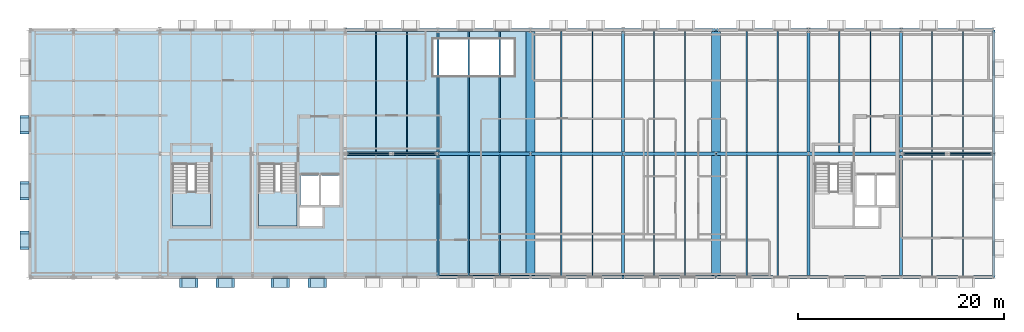
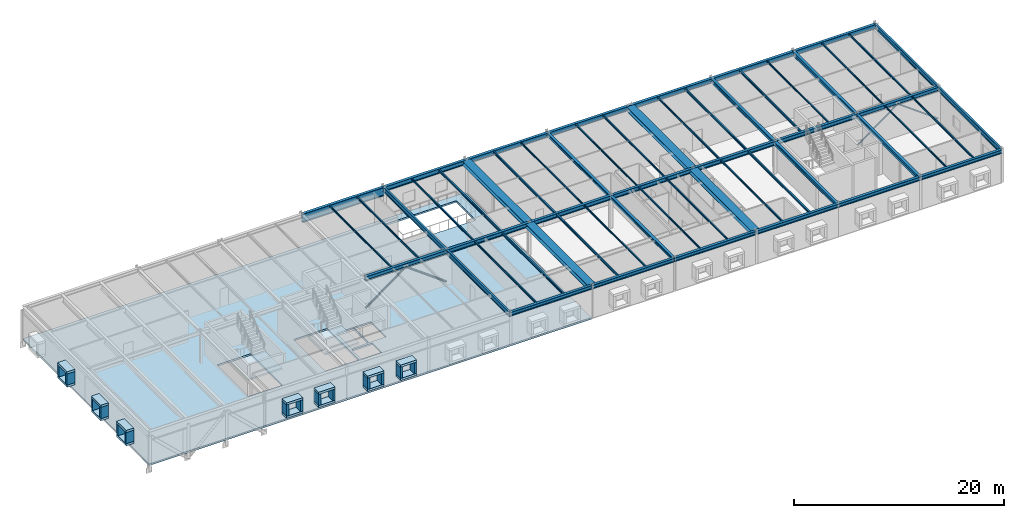
# One storey, part 5 of 17: 58 beams, 28 plates, 4 members, 3 slabs, 2 elements without a shape of their own.
"""IFC4 building model written with IfcOpenShell, lengths in metres."""

from ifc_helpers import new_model, si_unit, direction, frame, origin, origin_2d, place, context, subcontext, project, spatial, polyline, rectangle, hollow_circle, i_section, outline, extrude, material, layer, layer_set, material_profile, profile_set, type_object, element, aggregate, save


model = new_model("IFC4")

# Units and contexts
model_context = context("Model", 3, precision=1e-05, world=origin(), true_north=direction((0.0, 1.0)))
body_context = subcontext(model_context, "Body", "Model", "MODEL_VIEW")
ifc_project = project(units=[si_unit("LENGTHUNIT", "METRE"), si_unit("AREAUNIT", "SQUARE_METRE"), si_unit("VOLUMEUNIT", "CUBIC_METRE"), si_unit("PLANEANGLEUNIT", "RADIAN"), si_unit("MASSUNIT", "GRAM", prefix="KILO")], contexts=[model_context])

# Site, building, storey
site_placement = place(None, origin())
site = spatial("IfcSite", under=ifc_project, at=site_placement, CompositionType="ELEMENT")
building_placement = place(site_placement, origin())
building = spatial("IfcBuilding", under=site, at=building_placement, Name="Montelvaro Courts of Justice", CompositionType="ELEMENT")
storey_placement = place(building_placement, frame((0.0, 0.0, 31.39990234375)))
storey = spatial("IfcBuildingStorey", under=building, at=storey_placement, Name="L07", CompositionType="ELEMENT", Elevation=31.39990234375)

# Beams
ifc_material_1 = material(Name="Steel S355", Category="steel")
ifc_material_profile_1 = material_profile(ifc_material_1, i_section(OverallWidth=0.300048828125, OverallDepth=0.35009765625, WebThickness=0.010009765625, FlangeThickness=0.017578125, at=origin_2d()), Name="HEA 360")
ifc_profile_set_1 = profile_set([ifc_material_profile_1], Name="Steel S355")
beam_type_1 = type_object("IfcBeamType", Name="Beam_HEA360", PredefinedType="USERDEFINED", material=ifc_profile_set_1)
for number, where, z_axis, x_axis, name in (
    (1, (90.0, 0.0, 3.625), (0.0, 1.0, 0.0), (-1.0, 0.0, 0.0), "Beam B-16 L07"),
    (2, (90.0, 12.0, 3.625), (0.0, 1.0, 0.0), (-1.0, 0.0, 0.0), "Beam B-16 L07"),
):
    element("IfcBeam", number, at=place(storey_placement, frame(where, z_axis=z_axis, x_axis=x_axis)), inside=storey, type_object=beam_type_1, Name=name, ObjectType="GIRDER", PredefinedType="USERDEFINED", context=body_context, shape_type="SweptSolid", body=[
        extrude(i_section(OverallWidth=0.300048828125, OverallDepth=0.35009765625, WebThickness=0.010009765625, FlangeThickness=0.017578125, at=origin_2d()), origin(), (0.0, 0.0, 1.0), 12.0),
    ])
ifc_material_profile_2 = material_profile(ifc_material_1, i_section(OverallWidth=0.300048828125, OverallDepth=0.43994140625, WebThickness=0.011474609375, FlangeThickness=0.02099609375, at=origin_2d()), Name="HEA 450")
ifc_profile_set_2 = profile_set([ifc_material_profile_2], Name="Steel S355")
beam_type_2 = type_object("IfcBeamType", Name="Beam_HEA450", PredefinedType="USERDEFINED", material=ifc_profile_set_2)
for number, where, z_axis, x_axis, name in (
    (3, (72.0, 0.0, 3.580078125), (1.0, 0.0, 0.0), (0.0, 1.0, 0.0), "Beam B-18 L07"),
    (4, (81.050048828125, 0.0, 3.580078125), (1.0, 0.0, 0.0), (0.0, 1.0, 0.0), "Beam B-18 L07"),
    (5, (90.0, 0.0, 3.580078125), (1.0, 0.0, 0.0), (0.0, 1.0, 0.0), "Beam B-18 L07"),
    (6, (99.050048828125, 0.0, 3.580078125), (1.0, 0.0, 0.0), (0.0, 1.0, 0.0), "Beam B-18 L07"),
):
    element("IfcBeam", number, at=place(storey_placement, frame(where, z_axis=z_axis, x_axis=x_axis)), inside=storey, type_object=beam_type_2, Name=name, ObjectType="GIRDER", PredefinedType="USERDEFINED", context=body_context, shape_type="SweptSolid", body=[
        extrude(i_section(OverallWidth=0.300048828125, OverallDepth=0.43994140625, WebThickness=0.011474609375, FlangeThickness=0.02099609375, at=origin_2d()), origin(), (0.0, 0.0, 1.0), 8.949951171875),
    ])
for number, where, z_axis, x_axis, name in (
    (7, (108.0, 0.0, 3.580078125), (1.0, 0.0, 0.0), (0.0, 1.0, 0.0), "Beam B-18 L07"),
    (8, (117.0, 0.0, 3.580078125), (1.0, 0.0, 0.0), (0.0, 1.0, 0.0), "Beam B-18 L07"),
):
    element("IfcBeam", number, at=place(storey_placement, frame(where, z_axis=z_axis, x_axis=x_axis)), inside=storey, type_object=beam_type_2, Name=name, ObjectType="GIRDER", PredefinedType="USERDEFINED", context=body_context, shape_type="SweptSolid", body=[
        extrude(i_section(OverallWidth=0.300048828125, OverallDepth=0.43994140625, WebThickness=0.011474609375, FlangeThickness=0.02099609375, at=origin_2d()), origin(), (0.0, 0.0, 1.0), 9.0),
    ])
for number, where, z_axis, x_axis, name in (
    (9, (108.0, 0.0, 3.580078125), (0.0, 1.0, 0.0), (-1.0, 0.0, 0.0), "Beam B-18 L07"),
    (10, (108.0, 12.0, 3.580078125), (0.0, 1.0, 0.0), (-1.0, 0.0, 0.0), "Beam B-18 L07"),
):
    element("IfcBeam", number, at=place(storey_placement, frame(where, z_axis=z_axis, x_axis=x_axis)), inside=storey, type_object=beam_type_2, Name=name, ObjectType="GIRDER", PredefinedType="USERDEFINED", context=body_context, shape_type="SweptSolid", body=[
        extrude(i_section(OverallWidth=0.300048828125, OverallDepth=0.43994140625, WebThickness=0.011474609375, FlangeThickness=0.02099609375, at=origin_2d()), origin(), (0.0, 0.0, 1.0), 12.0),
    ])
ifc_material_profile_3 = material_profile(ifc_material_1, i_section(OverallWidth=0.300048828125, OverallDepth=0.489990234375, WebThickness=0.011962890625, FlangeThickness=0.02294921875, at=origin_2d()), Name="HEA 500")
ifc_profile_set_3 = profile_set([ifc_material_profile_3], Name="Steel S355")
beam_type_3 = type_object("IfcBeamType", Name="Beam_HEA500", PredefinedType="USERDEFINED", material=ifc_profile_set_3)
beam_1_placement = place(storey_placement, frame((63.0, 12.0, 3.55517578125), z_axis=(1.0, 0.0, 0.0), x_axis=(0.0, 1.0, 0.0)))
element("IfcBeam", 11, at=beam_1_placement, inside=storey, type_object=beam_type_3, Name="Beam B-19 L07", ObjectType="GIRDER", PredefinedType="USERDEFINED", context=body_context, shape_type="SweptSolid", body=[
    extrude(i_section(OverallWidth=0.300048828125, OverallDepth=0.489990234375, WebThickness=0.011962890625, FlangeThickness=0.02294921875, at=origin_2d()), origin(), (0.0, 0.0, 1.0), 9.0),
])
for number, where, z_axis, x_axis, name in (
    (12, (72.0, 12.0, 3.55517578125), (1.0, 0.0, 0.0), (0.0, 1.0, 0.0), "Beam B-19 L07"),
    (13, (81.050048828125, 12.0, 3.55517578125), (1.0, 0.0, 0.0), (0.0, 1.0, 0.0), "Beam B-19 L07"),
    (14, (90.0, 12.0, 3.55517578125), (1.0, 0.0, 0.0), (0.0, 1.0, 0.0), "Beam B-19 L07"),
    (15, (99.050048828125, 12.0, 3.55517578125), (1.0, 0.0, 0.0), (0.0, 1.0, 0.0), "Beam B-19 L07"),
):
    element("IfcBeam", number, at=place(storey_placement, frame(where, z_axis=z_axis, x_axis=x_axis)), inside=storey, type_object=beam_type_3, Name=name, ObjectType="GIRDER", PredefinedType="USERDEFINED", context=body_context, shape_type="SweptSolid", body=[
        extrude(i_section(OverallWidth=0.300048828125, OverallDepth=0.489990234375, WebThickness=0.011962890625, FlangeThickness=0.02294921875, at=origin_2d()), origin(), (0.0, 0.0, 1.0), 8.949951171875),
    ])
for number, where, z_axis, x_axis, name in (
    (16, (108.0, 12.0, 3.55517578125), (1.0, 0.0, 0.0), (0.0, 1.0, 0.0), "Beam B-19 L07"),
    (17, (117.0, 12.0, 3.55517578125), (1.0, 0.0, 0.0), (0.0, 1.0, 0.0), "Beam B-19 L07"),
):
    element("IfcBeam", number, at=place(storey_placement, frame(where, z_axis=z_axis, x_axis=x_axis)), inside=storey, type_object=beam_type_3, Name=name, ObjectType="GIRDER", PredefinedType="USERDEFINED", context=body_context, shape_type="SweptSolid", body=[
        extrude(i_section(OverallWidth=0.300048828125, OverallDepth=0.489990234375, WebThickness=0.011962890625, FlangeThickness=0.02294921875, at=origin_2d()), origin(), (0.0, 0.0, 1.0), 9.0),
    ])
for number, where, z_axis, x_axis, name in (
    (18, (117.0, 0.0, 3.55517578125), (0.0, 1.0, 0.0), (-1.0, 0.0, 0.0), "Beam B-19 L07"),
    (19, (117.0, 12.0, 3.55517578125), (0.0, 1.0, 0.0), (-1.0, 0.0, 0.0), "Beam B-19 L07"),
):
    element("IfcBeam", number, at=place(storey_placement, frame(where, z_axis=z_axis, x_axis=x_axis)), inside=storey, type_object=beam_type_3, Name=name, ObjectType="GIRDER", PredefinedType="USERDEFINED", context=body_context, shape_type="SweptSolid", body=[
        extrude(i_section(OverallWidth=0.300048828125, OverallDepth=0.489990234375, WebThickness=0.011962890625, FlangeThickness=0.02294921875, at=origin_2d()), origin(), (0.0, 0.0, 1.0), 12.0),
    ])
ifc_material_profile_4 = material_profile(ifc_material_1, i_section(OverallWidth=0.300048828125, OverallDepth=0.5400390625, WebThickness=0.012451171875, FlangeThickness=0.02392578125, at=origin_2d()), Name="HEA 550")
ifc_profile_set_4 = profile_set([ifc_material_profile_4], Name="Steel S355")
beam_type_4 = type_object("IfcBeamType", Name="Beam_HEA550", PredefinedType="USERDEFINED", material=ifc_profile_set_4)
for number, where, z_axis, x_axis, name in (
    (20, (72.0, 24.0, 3.530029296875), (1.0, 0.0, 0.0), (0.0, 1.0, 0.0), "Beam B-20 L07"),
    (21, (81.050048828125, 24.0, 3.530029296875), (1.0, 0.0, 0.0), (0.0, 1.0, 0.0), "Beam B-20 L07"),
    (22, (90.0, 24.0, 3.530029296875), (1.0, 0.0, 0.0), (0.0, 1.0, 0.0), "Beam B-20 L07"),
    (23, (99.050048828125, 24.0, 3.530029296875), (1.0, 0.0, 0.0), (0.0, 1.0, 0.0), "Beam B-20 L07"),
):
    element("IfcBeam", number, at=place(storey_placement, frame(where, z_axis=z_axis, x_axis=x_axis)), inside=storey, type_object=beam_type_4, Name=name, ObjectType="GIRDER", PredefinedType="USERDEFINED", context=body_context, shape_type="SweptSolid", body=[
        extrude(i_section(OverallWidth=0.300048828125, OverallDepth=0.5400390625, WebThickness=0.012451171875, FlangeThickness=0.02392578125, at=origin_2d()), origin(), (0.0, 0.0, 1.0), 8.949951171875),
    ])
for number, where, z_axis, x_axis, name in (
    (24, (108.0, 24.0, 3.530029296875), (1.0, 0.0, 0.0), (0.0, 1.0, 0.0), "Beam B-20 L07"),
    (25, (117.0, 24.0, 3.530029296875), (1.0, 0.0, 0.0), (0.0, 1.0, 0.0), "Beam B-20 L07"),
):
    element("IfcBeam", number, at=place(storey_placement, frame(where, z_axis=z_axis, x_axis=x_axis)), inside=storey, type_object=beam_type_4, Name=name, ObjectType="GIRDER", PredefinedType="USERDEFINED", context=body_context, shape_type="SweptSolid", body=[
        extrude(i_section(OverallWidth=0.300048828125, OverallDepth=0.5400390625, WebThickness=0.012451171875, FlangeThickness=0.02392578125, at=origin_2d()), origin(), (0.0, 0.0, 1.0), 9.0),
    ])
ifc_material_profile_5 = material_profile(ifc_material_1, i_section(OverallWidth=0.302001953125, OverallDepth=1.008056640625, WebThickness=0.02099609375, FlangeThickness=0.0400390625, at=origin_2d()), Name="HEM 1000")
ifc_profile_set_5 = profile_set([ifc_material_profile_5], Name="Steel S355")
beam_type_5 = type_object("IfcBeamType", Name="Beam_HEM1000", PredefinedType="USERDEFINED", material=ifc_profile_set_5)
beam_2_placement = place(storey_placement, frame((72.0, 24.0, 3.296142578125), z_axis=(-1.0, 0.0, 0.0), x_axis=(0.0, -1.0, 0.0)))
element("IfcBeam", 26, at=beam_2_placement, inside=storey, type_object=beam_type_5, Name="Pratt Cantilever Truss Chord CTR-BAR3-N-L08-BS1", ObjectType="GIRDER", PredefinedType="USERDEFINED", context=body_context, shape_type="SweptSolid", body=[
    extrude(i_section(OverallWidth=0.302001953125, OverallDepth=1.008056640625, WebThickness=0.02099609375, FlangeThickness=0.0400390625, at=origin_2d()), origin(), (0.0, 0.0, 1.0), 9.0),
])
ifc_material_profile_6 = material_profile(ifc_material_1, i_section(OverallWidth=0.10009765625, OverallDepth=0.199951171875, WebThickness=0.005615234375, FlangeThickness=0.008544921875, at=origin_2d()), Name="IPE 200")
ifc_profile_set_6 = profile_set([ifc_material_profile_6], Name="Steel S355")
beam_type_6 = type_object("IfcBeamType", Name="Beam_IPE200", PredefinedType="JOIST", material=ifc_profile_set_6)
for number, where, z_axis, x_axis, name in (
    (27, (66.0, 12.110107421875, 3.7001953125), (0.0, 1.0, 0.0), (-1.0, 0.0, 0.0), "Beam B-01 L07"),
    (28, (87.0, 0.110107421875, 3.7001953125), (0.0, 1.0, 0.0), (-1.0, 0.0, 0.0), "Beam B-01 L07"),
    (29, (87.0, 12.110107421875, 3.7001953125), (0.0, 1.0, 0.0), (-1.0, 0.0, 0.0), "Beam B-01 L07"),
    (30, (93.0, 0.110107421875, 3.7001953125), (0.0, 1.0, 0.0), (-1.0, 0.0, 0.0), "Beam B-01 L07"),
    (31, (93.0, 12.110107421875, 3.7001953125), (0.0, 1.0, 0.0), (-1.0, 0.0, 0.0), "Beam B-01 L07"),
    (32, (114.0, 12.110107421875, 3.7001953125), (0.0, 1.0, 0.0), (-1.0, 0.0, 0.0), "Beam B-01 L07"),
    (33, (120.0, 0.110107421875, 3.7001953125), (0.0, 1.0, 0.0), (-1.0, 0.0, 0.0), "Beam B-01 L07"),
    (34, (120.0, 12.110107421875, 3.7001953125), (0.0, 1.0, 0.0), (-1.0, 0.0, 0.0), "Beam B-01 L07"),
):
    element("IfcBeam", number, at=place(storey_placement, frame(where, z_axis=z_axis, x_axis=x_axis)), inside=storey, type_object=beam_type_6, Name=name, PredefinedType="JOIST", context=body_context, shape_type="SweptSolid", body=[
        extrude(i_section(OverallWidth=0.10009765625, OverallDepth=0.199951171875, WebThickness=0.005615234375, FlangeThickness=0.008544921875, at=origin_2d()), origin(), (0.0, 0.0, 1.0), 11.77978515625),
    ])
ifc_material_profile_7 = material_profile(ifc_material_1, i_section(OverallWidth=0.110107421875, OverallDepth=0.219970703125, WebThickness=0.005859375, FlangeThickness=0.00927734375, at=origin_2d()), Name="IPE 220")
ifc_profile_set_7 = profile_set([ifc_material_profile_7], Name="Steel S355")
beam_type_7 = type_object("IfcBeamType", Name="Beam_IPE220", PredefinedType="JOIST", material=ifc_profile_set_7)
for number, where, z_axis, x_axis, name in (
    (35, (69.0, 12.110107421875, 3.690185546875), (0.0, 1.0, 0.0), (-1.0, 0.0, 0.0), "Beam B-02 L07"),
    (36, (75.0, 0.110107421875, 3.690185546875), (0.0, 1.0, 0.0), (-1.0, 0.0, 0.0), "Beam B-02 L07"),
    (37, (75.0, 12.110107421875, 3.690185546875), (0.0, 1.0, 0.0), (-1.0, 0.0, 0.0), "Beam B-02 L07"),
    (38, (96.0, 0.110107421875, 3.690185546875), (0.0, 1.0, 0.0), (-1.0, 0.0, 0.0), "Beam B-02 L07"),
    (39, (96.0, 12.110107421875, 3.690185546875), (0.0, 1.0, 0.0), (-1.0, 0.0, 0.0), "Beam B-02 L07"),
    (40, (102.0, 0.110107421875, 3.690185546875), (0.0, 1.0, 0.0), (-1.0, 0.0, 0.0), "Beam B-02 L07"),
    (41, (102.0, 12.110107421875, 3.690185546875), (0.0, 1.0, 0.0), (-1.0, 0.0, 0.0), "Beam B-02 L07"),
    (42, (123.0, 0.110107421875, 3.690185546875), (0.0, 1.0, 0.0), (-1.0, 0.0, 0.0), "Beam B-02 L07"),
    (43, (123.0, 12.110107421875, 3.690185546875), (0.0, 1.0, 0.0), (-1.0, 0.0, 0.0), "Beam B-02 L07"),
):
    element("IfcBeam", number, at=place(storey_placement, frame(where, z_axis=z_axis, x_axis=x_axis)), inside=storey, type_object=beam_type_7, Name=name, PredefinedType="JOIST", context=body_context, shape_type="SweptSolid", body=[
        extrude(i_section(OverallWidth=0.110107421875, OverallDepth=0.219970703125, WebThickness=0.005859375, FlangeThickness=0.00927734375, at=origin_2d()), origin(), (0.0, 0.0, 1.0), 11.77978515625),
    ])
ifc_material_profile_8 = material_profile(ifc_material_1, i_section(OverallWidth=0.135009765625, OverallDepth=0.27001953125, WebThickness=0.006591796875, FlangeThickness=0.01025390625, at=origin_2d()), Name="IPE 270")
ifc_profile_set_8 = profile_set([ifc_material_profile_8], Name="Steel S355")
beam_type_8 = type_object("IfcBeamType", Name="Beam_IPE270", PredefinedType="JOIST", material=ifc_profile_set_8)
for number, where, z_axis, x_axis, name in (
    (44, (78.0, 0.110107421875, 3.6650390625), (0.0, 1.0, 0.0), (-1.0, 0.0, 0.0), "Beam B-04 L07"),
    (45, (78.0, 12.110107421875, 3.6650390625), (0.0, 1.0, 0.0), (-1.0, 0.0, 0.0), "Beam B-04 L07"),
    (46, (84.0, 0.110107421875, 3.6650390625), (0.0, 1.0, 0.0), (-1.0, 0.0, 0.0), "Beam B-04 L07"),
    (47, (84.0, 12.110107421875, 3.6650390625), (0.0, 1.0, 0.0), (-1.0, 0.0, 0.0), "Beam B-04 L07"),
    (48, (105.0, 0.110107421875, 3.6650390625), (0.0, 1.0, 0.0), (-1.0, 0.0, 0.0), "Beam B-04 L07"),
    (49, (105.0, 12.110107421875, 3.6650390625), (0.0, 1.0, 0.0), (-1.0, 0.0, 0.0), "Beam B-04 L07"),
    (50, (111.0, 12.110107421875, 3.6650390625), (0.0, 1.0, 0.0), (-1.0, 0.0, 0.0), "Beam B-04 L07"),
):
    element("IfcBeam", number, at=place(storey_placement, frame(where, z_axis=z_axis, x_axis=x_axis)), inside=storey, type_object=beam_type_8, Name=name, PredefinedType="JOIST", context=body_context, shape_type="SweptSolid", body=[
        extrude(i_section(OverallWidth=0.135009765625, OverallDepth=0.27001953125, WebThickness=0.006591796875, FlangeThickness=0.01025390625, at=origin_2d()), origin(), (0.0, 0.0, 1.0), 11.77978515625),
    ])
ifc_material_profile_9 = material_profile(ifc_material_1, i_section(OverallWidth=0.2099609375, OverallDepth=0.550048828125, WebThickness=0.010986328125, FlangeThickness=0.01708984375, at=origin_2d()), Name="IPE 550")
ifc_profile_set_9 = profile_set([ifc_material_profile_9], Name="Steel S355")
beam_type_9 = type_object("IfcBeamType", Name="Beam_IPE550", PredefinedType="BEAM", material=ifc_profile_set_9)
for number, where, z_axis, x_axis, name in (
    (51, (72.0, 0.0, 3.525146484375), (0.0, 1.0, 0.0), (-1.0, 0.0, 0.0), "Beam B-11 L07"),
    (52, (72.0, 12.0, 3.525146484375), (0.0, 1.0, 0.0), (-1.0, 0.0, 0.0), "Beam B-11 L07"),
    (53, (126.0, 0.0, 3.525146484375), (0.0, 1.0, 0.0), (-1.0, 0.0, 0.0), "Beam B-11 L07"),
    (54, (126.0, 12.0, 3.525146484375), (0.0, 1.0, 0.0), (-1.0, 0.0, 0.0), "Beam B-11 L07"),
):
    element("IfcBeam", number, at=place(storey_placement, frame(where, z_axis=z_axis, x_axis=x_axis)), inside=storey, type_object=beam_type_9, Name=name, PredefinedType="BEAM", context=body_context, shape_type="SweptSolid", body=[
        extrude(i_section(OverallWidth=0.2099609375, OverallDepth=0.550048828125, WebThickness=0.010986328125, FlangeThickness=0.01708984375, at=origin_2d()), origin(), (0.0, 0.0, 1.0), 12.0),
    ])
ifc_material_profile_10 = material_profile(ifc_material_1, i_section(OverallWidth=0.860107421875, OverallDepth=0.47998046875, WebThickness=0.02001953125, FlangeThickness=0.031982421875, at=origin_2d()), Name="HL 480x860")
ifc_profile_set_10 = profile_set([ifc_material_profile_10], Name="Steel S355")
beam_type_10 = type_object("IfcBeamType", Name="Beam_MJSeat_860", PredefinedType="USERDEFINED", material=ifc_profile_set_10)
for number, where, z_axis, x_axis, name in (
    (55, (81.0, 0.0, 3.56005859375), (0.0, 1.0, 0.0), (-1.0, 0.0, 0.0), "Beam BC-01 L07"),
    (56, (81.0, 12.0, 3.56005859375), (0.0, 1.0, 0.0), (-1.0, 0.0, 0.0), "Beam BC-01 L07"),
    (57, (99.0, 0.0, 3.56005859375), (0.0, 1.0, 0.0), (-1.0, 0.0, 0.0), "Beam BC-01 L07"),
    (58, (99.0, 12.0, 3.56005859375), (0.0, 1.0, 0.0), (-1.0, 0.0, 0.0), "Beam BC-01 L07"),
):
    element("IfcBeam", number, at=place(storey_placement, frame(where, z_axis=z_axis, x_axis=x_axis)), inside=storey, type_object=beam_type_10, Name=name, ObjectType="GIRDER", PredefinedType="USERDEFINED", context=body_context, shape_type="SweptSolid", body=[
        extrude(i_section(OverallWidth=0.860107421875, OverallDepth=0.47998046875, WebThickness=0.02001953125, FlangeThickness=0.031982421875, at=origin_2d()), origin(), (0.0, 0.0, 1.0), 12.0),
    ])

# Members
ifc_material_profile_11 = material_profile(ifc_material_1, hollow_circle(Radius=0.084228515625, WallThickness=0.008056640625, at=origin_2d()), Name="CHS 168.3x8")
ifc_profile_set_11 = profile_set([ifc_material_profile_11], Name="Steel S355")
member_type = type_object("IfcMemberType", Name="Mem_CHS168_Brace", PredefinedType="BRACE", material=ifc_profile_set_11)
for number, where, z_axis, x_axis, name in (
    (59, (63.080078125, 12.0, 0.080078125), (0.805646015316, 0.0, 0.59239724679), (0.0, 1.0, 0.0), "Lateral Braced Frame CBF1 Diagonal 1 (L07)"),
    (60, (71.919921875, 12.0, 0.080078125), (-0.805646015316, 0.0, 0.59239724679), (0.0, -1.0, 0.0), "Lateral Braced Frame CBF1 Diagonal 2 (L07)"),
    (61, (117.080078125, 12.0, 0.080078125), (0.805646015316, 0.0, 0.59239724679), (0.0, 1.0, 0.0), "Lateral Braced Frame CBF2 Diagonal 1 (L07)"),
    (62, (125.919921875, 12.0, 0.080078125), (-0.805646015316, 0.0, 0.59239724679), (0.0, -1.0, 0.0), "Lateral Braced Frame CBF2 Diagonal 2 (L07)"),
):
    element("IfcMember", number, at=place(storey_placement, frame(where, z_axis=z_axis, x_axis=x_axis)), inside=storey, type_object=member_type, Name=name, PredefinedType="BRACE", context=body_context, shape_type="SweptSolid", body=[
        extrude(hollow_circle(Radius=0.084228515625, WallThickness=0.008056640625, at=origin_2d()), origin(), (0.0, 0.0, 1.0), 5.486083984375),
    ])

# Slab
ifc_material_2 = material(Name="Concrete C35/45", Category="concrete")
ifc_layer_1 = layer(ifc_material_2, 0.199951171875)
ifc_layer_set_1 = layer_set([ifc_layer_1], Name="Concrete C35/45")
slab_type_1 = type_object("IfcSlabType", Name="FloorSlab_200", PredefinedType="FLOOR", material=ifc_layer_set_1)
slab_1_placement = place(storey_placement, frame((0.0, 0.0, -0.199951171875)))
element("IfcSlab", 63, at=slab_1_placement, inside=storey, type_object=slab_type_1, Name="Structural Slab SF-09 L07", PredefinedType="FLOOR", context=body_context, shape_type="SweptSolid", body=[
    extrude(outline(polyline([(32.39990234375, 0.0), (80.949951171875, 0.0), (80.949951171875, 24.0), (32.39990234375, 24.0), (32.39990234375, 0.0)]), holes=[polyline([(54.60009765625, 5.0), (58.300048828125, 5.0), (58.300048828125, 11.0), (54.60009765625, 11.0), (54.60009765625, 5.0)]), polyline([(58.5400390625, 5.0), (60.800048828125, 5.0), (60.800048828125, 6.760009765625), (58.5400390625, 6.760009765625), (58.5400390625, 5.0)]), polyline([(58.64990234375, 7.0), (60.5, 7.0), (60.5, 9.89990234375), (58.64990234375, 9.89990234375), (58.64990234375, 7.0)]), polyline([(60.60009765625, 7.0), (62.449951171875, 7.0), (62.449951171875, 9.89990234375), (60.60009765625, 9.89990234375), (60.60009765625, 7.0)]), polyline([(46.199951171875, 5.0), (49.89990234375, 5.0), (49.89990234375, 11.0), (46.199951171875, 11.0), (46.199951171875, 5.0)]), polyline([(71.5, 19.5), (79.5, 19.5), (79.5, 23.199951171875), (71.5, 23.199951171875), (71.5, 19.5)])]), origin(), (0.0, 0.0, 1.0), 0.199951171875),
])

# Plates
ifc_material_3 = material(Name="White mineral precast concrete C45/55", Category="concrete")
ifc_layer_2 = layer(ifc_material_3, 0.25)
ifc_layer_set_2 = layer_set([ifc_layer_2], Name="White mineral precast concrete C45/55")
plate_type = type_object("IfcPlateType", Name="PrecastSquareFrame_250x850", PredefinedType="SHEET", material=ifc_layer_set_2)
for number, where, z_axis, x_axis, name in (
    (64, (47.801025390625, -0.56005859375, 2.35009765625), (0.0, 0.0, 1.0), (1.0, 0.0, 0.0), "Graduated Square Window Frame PF-03 W-L07-326 TOP"),
    (65, (47.801025390625, -0.56005859375, 0.800048828125), (0.0, 0.0, 1.0), (1.0, 0.0, 0.0), "Graduated Square Window Frame PF-03 W-L07-326 BOT"),
):
    element("IfcPlate", number, at=place(storey_placement, frame(where, z_axis=z_axis, x_axis=x_axis)), inside=storey, type_object=plate_type, Name=name, PredefinedType="SHEET", context=body_context, shape_type="SweptSolid", body=[
        extrude(rectangle(XDim=1.800048828125, YDim=0.860107421875, at=origin_2d()), origin(), (0.0, 0.0, 1.0), 0.25),
    ])
for number, where, z_axis, x_axis, name in (
    (66, (47.02587890625, -0.56005859375, 1.05029296875), (0.0, 0.0, 1.0), (1.0, 0.0, 0.0), "Graduated Square Window Frame PF-03 W-L07-326 L"),
    (67, (48.575927734375, -0.56005859375, 1.05029296875), (0.0, 0.0, 1.0), (1.0, 0.0, 0.0), "Graduated Square Window Frame PF-03 W-L07-326 R"),
):
    element("IfcPlate", number, at=place(storey_placement, frame(where, z_axis=z_axis, x_axis=x_axis)), inside=storey, type_object=plate_type, Name=name, PredefinedType="SHEET", context=body_context, shape_type="SweptSolid", body=[
        extrude(rectangle(XDim=0.25, YDim=0.860107421875, at=origin_2d()), origin(), (0.0, 0.0, 1.0), 1.300048828125),
    ])
for number, where, z_axis, x_axis, name in (
    (68, (51.339111328125, -0.56005859375, 2.35009765625), (0.0, 0.0, 1.0), (1.0, 0.0, 0.0), "Graduated Square Window Frame PF-03 W-L07-327 TOP"),
    (69, (51.339111328125, -0.56005859375, 0.800048828125), (0.0, 0.0, 1.0), (1.0, 0.0, 0.0), "Graduated Square Window Frame PF-03 W-L07-327 BOT"),
):
    element("IfcPlate", number, at=place(storey_placement, frame(where, z_axis=z_axis, x_axis=x_axis)), inside=storey, type_object=plate_type, Name=name, PredefinedType="SHEET", context=body_context, shape_type="SweptSolid", body=[
        extrude(rectangle(XDim=1.800048828125, YDim=0.860107421875, at=origin_2d()), origin(), (0.0, 0.0, 1.0), 0.25),
    ])
for number, where, z_axis, x_axis, name in (
    (70, (50.56396484375, -0.56005859375, 1.05029296875), (0.0, 0.0, 1.0), (1.0, 0.0, 0.0), "Graduated Square Window Frame PF-03 W-L07-327 L"),
    (71, (52.114013671875, -0.56005859375, 1.05029296875), (0.0, 0.0, 1.0), (1.0, 0.0, 0.0), "Graduated Square Window Frame PF-03 W-L07-327 R"),
):
    element("IfcPlate", number, at=place(storey_placement, frame(where, z_axis=z_axis, x_axis=x_axis)), inside=storey, type_object=plate_type, Name=name, PredefinedType="SHEET", context=body_context, shape_type="SweptSolid", body=[
        extrude(rectangle(XDim=0.25, YDim=0.860107421875, at=origin_2d()), origin(), (0.0, 0.0, 1.0), 1.300048828125),
    ])
for number, where, z_axis, x_axis, name in (
    (72, (56.702880859375, -0.56005859375, 2.35009765625), (0.0, 0.0, 1.0), (1.0, 0.0, 0.0), "Graduated Square Window Frame PF-03 W-L07-328 TOP"),
    (73, (56.702880859375, -0.56005859375, 0.800048828125), (0.0, 0.0, 1.0), (1.0, 0.0, 0.0), "Graduated Square Window Frame PF-03 W-L07-328 BOT"),
):
    element("IfcPlate", number, at=place(storey_placement, frame(where, z_axis=z_axis, x_axis=x_axis)), inside=storey, type_object=plate_type, Name=name, PredefinedType="SHEET", context=body_context, shape_type="SweptSolid", body=[
        extrude(rectangle(XDim=1.800048828125, YDim=0.860107421875, at=origin_2d()), origin(), (0.0, 0.0, 1.0), 0.25),
    ])
for number, where, z_axis, x_axis, name in (
    (74, (55.927978515625, -0.56005859375, 1.05029296875), (0.0, 0.0, 1.0), (1.0, 0.0, 0.0), "Graduated Square Window Frame PF-03 W-L07-328 L"),
    (75, (57.47802734375, -0.56005859375, 1.05029296875), (0.0, 0.0, 1.0), (1.0, 0.0, 0.0), "Graduated Square Window Frame PF-03 W-L07-328 R"),
):
    element("IfcPlate", number, at=place(storey_placement, frame(where, z_axis=z_axis, x_axis=x_axis)), inside=storey, type_object=plate_type, Name=name, PredefinedType="SHEET", context=body_context, shape_type="SweptSolid", body=[
        extrude(rectangle(XDim=0.25, YDim=0.860107421875, at=origin_2d()), origin(), (0.0, 0.0, 1.0), 1.300048828125),
    ])
for number, where, z_axis, x_axis, name in (
    (76, (60.297119140625, -0.56005859375, 2.35009765625), (0.0, 0.0, 1.0), (1.0, 0.0, 0.0), "Graduated Square Window Frame PF-03 W-L07-329 TOP"),
    (77, (60.297119140625, -0.56005859375, 0.800048828125), (0.0, 0.0, 1.0), (1.0, 0.0, 0.0), "Graduated Square Window Frame PF-03 W-L07-329 BOT"),
):
    element("IfcPlate", number, at=place(storey_placement, frame(where, z_axis=z_axis, x_axis=x_axis)), inside=storey, type_object=plate_type, Name=name, PredefinedType="SHEET", context=body_context, shape_type="SweptSolid", body=[
        extrude(rectangle(XDim=1.800048828125, YDim=0.860107421875, at=origin_2d()), origin(), (0.0, 0.0, 1.0), 0.25),
    ])
for number, where, z_axis, x_axis, name in (
    (78, (59.52197265625, -0.56005859375, 1.05029296875), (0.0, 0.0, 1.0), (1.0, 0.0, 0.0), "Graduated Square Window Frame PF-03 W-L07-329 L"),
    (79, (61.072021484375, -0.56005859375, 1.05029296875), (0.0, 0.0, 1.0), (1.0, 0.0, 0.0), "Graduated Square Window Frame PF-03 W-L07-329 R"),
):
    element("IfcPlate", number, at=place(storey_placement, frame(where, z_axis=z_axis, x_axis=x_axis)), inside=storey, type_object=plate_type, Name=name, PredefinedType="SHEET", context=body_context, shape_type="SweptSolid", body=[
        extrude(rectangle(XDim=0.25, YDim=0.860107421875, at=origin_2d()), origin(), (0.0, 0.0, 1.0), 1.300048828125),
    ])
for number, where, z_axis, x_axis, name in (
    (80, (31.840087890625, 14.81005859375, 2.35009765625), (0.0, 0.0, 1.0), (0.0, -1.0, 0.0), "Graduated Square Window Frame PF-03 W-L07-343 TOP"),
    (81, (31.840087890625, 14.81005859375, 0.800048828125), (0.0, 0.0, 1.0), (0.0, -1.0, 0.0), "Graduated Square Window Frame PF-03 W-L07-343 BOT"),
):
    element("IfcPlate", number, at=place(storey_placement, frame(where, z_axis=z_axis, x_axis=x_axis)), inside=storey, type_object=plate_type, Name=name, PredefinedType="SHEET", context=body_context, shape_type="SweptSolid", body=[
        extrude(rectangle(XDim=1.800048828125, YDim=0.860107421875, at=origin_2d()), origin(), (0.0, 0.0, 1.0), 0.25),
    ])
for number, where, z_axis, x_axis, name in (
    (82, (31.840087890625, 15.5849609375, 1.05029296875), (0.0, 0.0, 1.0), (0.0, -1.0, 0.0), "Graduated Square Window Frame PF-03 W-L07-343 L"),
    (83, (31.840087890625, 14.034912109375, 1.05029296875), (0.0, 0.0, 1.0), (0.0, -1.0, 0.0), "Graduated Square Window Frame PF-03 W-L07-343 R"),
):
    element("IfcPlate", number, at=place(storey_placement, frame(where, z_axis=z_axis, x_axis=x_axis)), inside=storey, type_object=plate_type, Name=name, PredefinedType="SHEET", context=body_context, shape_type="SweptSolid", body=[
        extrude(rectangle(XDim=0.25, YDim=0.860107421875, at=origin_2d()), origin(), (0.0, 0.0, 1.0), 1.300048828125),
    ])
for number, where, z_axis, x_axis, name in (
    (84, (31.840087890625, 8.39501953125, 2.35009765625), (0.0, 0.0, 1.0), (0.0, -1.0, 0.0), "Graduated Square Window Frame PF-03 W-L07-344 TOP"),
    (85, (31.840087890625, 8.39501953125, 0.800048828125), (0.0, 0.0, 1.0), (0.0, -1.0, 0.0), "Graduated Square Window Frame PF-03 W-L07-344 BOT"),
):
    element("IfcPlate", number, at=place(storey_placement, frame(where, z_axis=z_axis, x_axis=x_axis)), inside=storey, type_object=plate_type, Name=name, PredefinedType="SHEET", context=body_context, shape_type="SweptSolid", body=[
        extrude(rectangle(XDim=1.800048828125, YDim=0.860107421875, at=origin_2d()), origin(), (0.0, 0.0, 1.0), 0.25),
    ])
for number, where, z_axis, x_axis, name in (
    (86, (31.840087890625, 9.169921875, 1.05029296875), (0.0, 0.0, 1.0), (0.0, -1.0, 0.0), "Graduated Square Window Frame PF-03 W-L07-344 L"),
    (87, (31.840087890625, 7.6201171875, 1.05029296875), (0.0, 0.0, 1.0), (0.0, -1.0, 0.0), "Graduated Square Window Frame PF-03 W-L07-344 R"),
):
    element("IfcPlate", number, at=place(storey_placement, frame(where, z_axis=z_axis, x_axis=x_axis)), inside=storey, type_object=plate_type, Name=name, PredefinedType="SHEET", context=body_context, shape_type="SweptSolid", body=[
        extrude(rectangle(XDim=0.25, YDim=0.860107421875, at=origin_2d()), origin(), (0.0, 0.0, 1.0), 1.300048828125),
    ])
for number, where, z_axis, x_axis, name in (
    (88, (31.840087890625, 3.574951171875, 2.35009765625), (0.0, 0.0, 1.0), (0.0, -1.0, 0.0), "Graduated Square Window Frame PF-03 W-L07-345 TOP"),
    (89, (31.840087890625, 3.574951171875, 0.800048828125), (0.0, 0.0, 1.0), (0.0, -1.0, 0.0), "Graduated Square Window Frame PF-03 W-L07-345 BOT"),
):
    element("IfcPlate", number, at=place(storey_placement, frame(where, z_axis=z_axis, x_axis=x_axis)), inside=storey, type_object=plate_type, Name=name, PredefinedType="SHEET", context=body_context, shape_type="SweptSolid", body=[
        extrude(rectangle(XDim=1.800048828125, YDim=0.860107421875, at=origin_2d()), origin(), (0.0, 0.0, 1.0), 0.25),
    ])
for number, where, z_axis, x_axis, name in (
    (90, (31.840087890625, 4.35009765625, 1.05029296875), (0.0, 0.0, 1.0), (0.0, -1.0, 0.0), "Graduated Square Window Frame PF-03 W-L07-345 L"),
    (91, (31.840087890625, 2.800048828125, 1.05029296875), (0.0, 0.0, 1.0), (0.0, -1.0, 0.0), "Graduated Square Window Frame PF-03 W-L07-345 R"),
):
    element("IfcPlate", number, at=place(storey_placement, frame(where, z_axis=z_axis, x_axis=x_axis)), inside=storey, type_object=plate_type, Name=name, PredefinedType="SHEET", context=body_context, shape_type="SweptSolid", body=[
        extrude(rectangle(XDim=0.25, YDim=0.860107421875, at=origin_2d()), origin(), (0.0, 0.0, 1.0), 1.300048828125),
    ])

# Stair, slab
stair_type_1 = type_object("IfcStairType", Name="ProtectedStair_155", PredefinedType="HALF_TURN_STAIR", material=ifc_material_2)
stair_1_placement = place(storey_placement, origin())
stair_1 = element("IfcStair", 92, at=stair_1_placement, inside=storey, type_object=stair_type_1, Name="Protected Stair ST-K1-L07", PredefinedType="HALF_TURN_STAIR")
ifc_layer_3 = layer(ifc_material_2, 0.199951171875)
ifc_layer_set_3 = layer_set([ifc_layer_3], Name="Concrete C35/45")
slab_type_2 = type_object("IfcSlabType", Name="StairLanding_200", PredefinedType="LANDING", material=ifc_layer_set_3)
slab_2_placement = place(storey_placement, frame((0.0, 0.0, 1.800048828125)))
slab_2 = element("IfcSlab", 93, at=slab_2_placement, type_object=slab_type_2, Name="ST-K1-L07 landing 1", PredefinedType="LANDING", context=body_context, shape_type="SweptSolid", body=[
    extrude(outline(polyline([(54.60009765625, 5.0), (58.300048828125, 5.0), (58.300048828125, 8.304931640625), (54.60009765625, 8.304931640625), (54.60009765625, 5.0)])), origin(), (0.0, 0.0, 1.0), 0.199951171875),
])
aggregate(stair_1, [slab_2])

stair_type_2 = type_object("IfcStairType", Name="ProtectedStair_145", PredefinedType="HALF_TURN_STAIR", material=ifc_material_2)
stair_2_placement = place(storey_placement, origin())
stair_2 = element("IfcStair", 94, at=stair_2_placement, inside=storey, type_object=stair_type_2, Name="Protected Stair ST-E1-L07", PredefinedType="HALF_TURN_STAIR")
slab_3_placement = place(storey_placement, frame((0.0, 0.0, 1.800048828125)))
slab_3 = element("IfcSlab", 95, at=slab_3_placement, type_object=slab_type_2, Name="ST-E1-L07 landing 1", PredefinedType="LANDING", context=body_context, shape_type="SweptSolid", body=[
    extrude(outline(polyline([(46.199951171875, 5.0), (49.89990234375, 5.0), (49.89990234375, 8.304931640625), (46.199951171875, 8.304931640625), (46.199951171875, 5.0)])), origin(), (0.0, 0.0, 1.0), 0.199951171875),
])
aggregate(stair_2, [slab_3])

save(model, "model.ifc")
